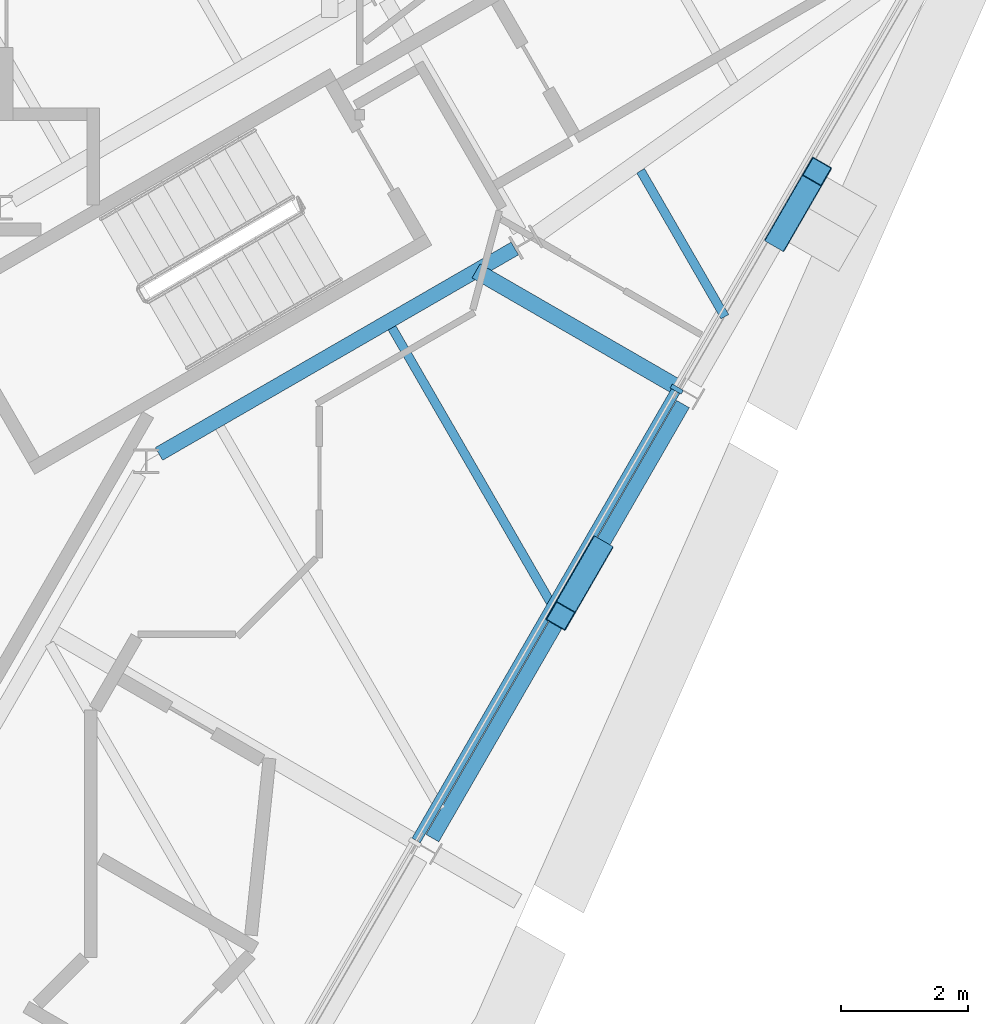
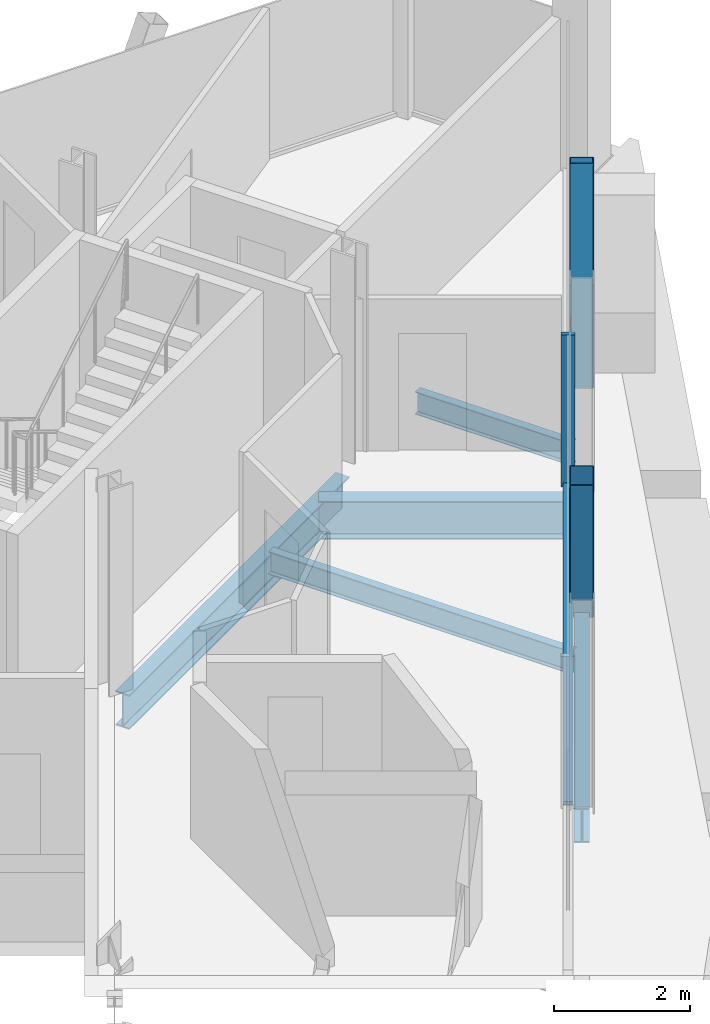
# One storey, part 5 of 14: 5 beams, 4 members, 1 element without a shape of its own.
"""IFC4 building model written with IfcOpenShell, lengths in metres."""

from ifc_helpers import new_model, si_unit, direction, frame, origin, origin_2d, place, context, subcontext, project, spatial, rectangle, hollow_rectangle, i_section, extrude, material, material_profile, profile_set, type_object, element, aggregate, save


model = new_model("IFC4")

# Units and contexts
model_context = context("Model", 3, precision=1e-05, world=origin(), true_north=direction((0.0, 1.0)))
body_context = subcontext(model_context, "Body", "Model", "MODEL_VIEW")
ifc_project = project(units=[si_unit("LENGTHUNIT", "METRE"), si_unit("AREAUNIT", "SQUARE_METRE"), si_unit("VOLUMEUNIT", "CUBIC_METRE"), si_unit("PLANEANGLEUNIT", "RADIAN"), si_unit("MASSUNIT", "GRAM", prefix="KILO")], contexts=[model_context])

# Site, building, storey
site_placement = place(None, origin())
site = spatial("IfcSite", under=ifc_project, at=site_placement, CompositionType="ELEMENT")
building_placement = place(site_placement, origin())
building = spatial("IfcBuilding", under=site, at=building_placement, Name="Verrane Prism Tower", CompositionType="ELEMENT")
storey_placement = place(building_placement, frame((0.0, 0.0, 293.60009765625)))
storey = spatial("IfcBuildingStorey", under=building, at=storey_placement, Name="L74", CompositionType="ELEMENT", Elevation=293.60009765625)

# Beam
ifc_material_1 = material(Name="Steel A992", Category="steel")
ifc_material_profile_1 = material_profile(ifc_material_1, i_section(OverallWidth=0.23046875, OverallDepth=0.6171875, WebThickness=0.01318359375, FlangeThickness=0.022216796875, FilletRadius=0.012939453125, at=origin_2d()), Name="W24x94")
ifc_profile_set_1 = profile_set([ifc_material_profile_1], Name="Steel A992")
beam_type_1 = type_object("IfcBeamType", Name="Core ring girder W24x94", PredefinedType="BEAM", material=ifc_profile_set_1)
beam_1_placement = place(storey_placement, frame((9.679443359375, 2.93505859375, -0.55859375), z_axis=(0.866080992722, 0.499903704773, 0.0), x_axis=(-0.499903704773, 0.866080992722, 0.0)))
element("IfcBeam", 1, at=beam_1_placement, inside=storey, type_object=beam_type_1, Name="Core ring girder L74", PredefinedType="BEAM", context=body_context, shape_type="SweptSolid", body=[
    extrude(i_section(OverallWidth=0.23046875, OverallDepth=0.6171875, WebThickness=0.01318359375, FlangeThickness=0.022216796875, FilletRadius=0.012939453125, at=origin_2d()), origin(), (0.0, 0.0, 1.0), 6.451904296875),
])

# Members
ifc_material_2 = material(Name="Steel A500 Grade C", Category="steel")
ifc_material_profile_2 = material_profile(ifc_material_2, hollow_rectangle(XDim=0.355712890625, YDim=0.355712890625, WallThickness=0.0126953125, InnerFilletRadius=0.00634765625, OuterFilletRadius=0.01904296875, at=origin_2d()), Name="HSS14x14x1/2")
ifc_profile_set_2 = profile_set([ifc_material_profile_2], Name="Steel A500 Grade C")
member_type_1 = type_object("IfcMemberType", Name="Facade brace HSS14x14x1/2", PredefinedType="BRACE", material=ifc_profile_set_2)
for number, where, z_axis, x_axis, name in (
    (2, (16.579833984375, 1.4189453125, -0.216796875), (-0.173933329841, -0.301465343199, 0.937478449683), (0.866171884844, -0.499746201493, 0.0), "Facade brace SE3 L74"),
    (3, (19.420166015625, 6.341064453125, -0.216796875), (0.173933329841, 0.301465343199, 0.937478449683), (-0.866171884844, 0.499746201493, 0.0), "Facade brace SE4 L74"),
):
    element("IfcMember", number, at=place(storey_placement, frame(where, z_axis=z_axis, x_axis=x_axis)), inside=storey, type_object=member_type_1, Name=name, PredefinedType="BRACE", context=body_context, shape_type="SweptSolid", body=[
        extrude(hollow_rectangle(XDim=0.355712890625, YDim=0.355712890625, WallThickness=0.0126953125, InnerFilletRadius=0.00634765625, OuterFilletRadius=0.01904296875, at=origin_2d()), origin(), (0.0, 0.0, 1.0), 3.409423828125),
    ])

# Beams
ifc_material_3 = material(Name="Steel A992", Category="steel")
ifc_material_profile_3 = material_profile(ifc_material_3, i_section(OverallWidth=0.140380859375, OverallDepth=0.40380859375, WebThickness=0.007080078125, FlangeThickness=0.01123046875, FilletRadius=0.01025390625, at=origin_2d()), Name="W16x31")
ifc_profile_set_3 = profile_set([ifc_material_profile_3], Name="Steel A992")
beam_type_2 = type_object("IfcBeamType", Name="Floor beam W16x31", PredefinedType="BEAM", material=ifc_profile_set_3)
beam_2_placement = place(storey_placement, frame((15.902099609375, 0.474609375, -0.362060546875), z_axis=(-0.500011000363, 0.866019052629, 0.0), x_axis=(-0.866019052629, -0.500011000363, 0.0)))
element("IfcBeam", 4, at=beam_2_placement, inside=storey, type_object=beam_type_2, Name="Floor beam L74", PredefinedType="BEAM", context=body_context, shape_type="SweptSolid", body=[
    extrude(i_section(OverallWidth=0.140380859375, OverallDepth=0.40380859375, WebThickness=0.007080078125, FlangeThickness=0.01123046875, FilletRadius=0.01025390625, at=origin_2d()), origin(), (0.0, 0.0, 1.0), 5.126953125),
])
beam_3_placement = place(storey_placement, frame((18.565185546875, 5.089599609375, -0.362060546875), z_axis=(-0.49994082229, 0.866059567356, 0.0), x_axis=(-0.866059567356, -0.49994082229, 0.0)))
element("IfcBeam", 5, at=beam_3_placement, inside=storey, type_object=beam_type_2, Name="Floor beam L74", PredefinedType="BEAM", context=body_context, shape_type="SweptSolid", body=[
    extrude(i_section(OverallWidth=0.140380859375, OverallDepth=0.40380859375, WebThickness=0.007080078125, FlangeThickness=0.01123046875, FilletRadius=0.01025390625, at=origin_2d()), origin(), (0.0, 0.0, 1.0), 2.645263671875),
])

# Curtain wall, member
ifc_material_4 = material(Name="Aluminium framed insulated glazing", Category="aluminium")
curtain_wall_type = type_object("IfcCurtainWallType", Name="Curtain wall CW-A 8400 module", PredefinedType="NOTDEFINED", material=ifc_material_4)
curtain_wall_placement = place(storey_placement, origin())
curtain_wall = element("IfcCurtainWall", 6, at=curtain_wall_placement, inside=storey, type_object=curtain_wall_type, Name="Glazed curtain wall south-east face L74", PredefinedType="NOTDEFINED")
ifc_material_5 = material(Name="Aluminium alloy 6063-T6", Category="aluminium")
ifc_material_profile_4 = material_profile(ifc_material_5, rectangle(XDim=0.199951171875, YDim=0.070068359375, at=origin_2d()), Name="Mullion 70x200 aluminium")
ifc_profile_set_4 = profile_set([ifc_material_profile_4], Name="Aluminium alloy 6063-T6")
member_type_2 = type_object("IfcMemberType", Name="Mullion 70x200 aluminium", PredefinedType="MULLION", material=ifc_profile_set_4)
member_1_placement = place(storey_placement, frame((17.8095703125, 3.952392578125, 0.0), z_axis=(0.0, 0.0, 1.0), x_axis=(-0.866024861728, 0.500000938868, 0.0)))
member_1 = element("IfcMember", 7, at=member_1_placement, type_object=member_type_2, Name="CW72.6 mullion 5", PredefinedType="MULLION", context=body_context, shape_type="SweptSolid", body=[
    extrude(rectangle(XDim=0.199951171875, YDim=0.070068359375, at=origin_2d()), origin(), (0.0, 0.0, 1.0), 2.722900390625),
])

# Beams
ifc_material_6 = material(Name="Steel A992", Category="steel")
ifc_material_profile_5 = material_profile(ifc_material_6, i_section(OverallWidth=0.25390625, OverallDepth=0.683349609375, WebThickness=0.012451171875, FlangeThickness=0.01904296875, FilletRadius=0.01513671875, at=origin_2d()), Name="W27x94")
ifc_profile_set_5 = profile_set([ifc_material_profile_5], Name="Steel A992")
beam_type_3 = type_object("IfcBeamType", Name="Radial girder W27x94", PredefinedType="BEAM", material=ifc_profile_set_5)
beam_4_placement = place(storey_placement, frame((17.840576171875, 3.97216796875, -0.561767578125), z_axis=(-0.866042841795, 0.499969795263, 0.0), x_axis=(-0.499969795263, -0.866042841795, 0.0)))
element("IfcBeam", 8, at=beam_4_placement, inside=storey, type_object=beam_type_3, Name="Radial girder L74", PredefinedType="BEAM", context=body_context, shape_type="SweptSolid", body=[
    extrude(i_section(OverallWidth=0.25390625, OverallDepth=0.683349609375, WebThickness=0.012451171875, FlangeThickness=0.01904296875, FilletRadius=0.01513671875, at=origin_2d()), origin(), (0.0, 0.0, 1.0), 3.674072265625),
])
ifc_material_7 = material(Name="Steel A992", Category="steel")
ifc_material_profile_6 = material_profile(ifc_material_7, i_section(OverallWidth=0.23046875, OverallDepth=0.6171875, WebThickness=0.01318359375, FlangeThickness=0.022216796875, FilletRadius=0.012939453125, at=origin_2d()), Name="W24x94")
ifc_profile_set_6 = profile_set([ifc_material_profile_6], Name="Steel A992")
beam_type_4 = type_object("IfcBeamType", Name="Spandrel beam W24x94", PredefinedType="SPANDREL", material=ifc_profile_set_6)
beam_5_placement = place(storey_placement, frame((13.973388671875, -3.098388671875, -0.46875), z_axis=(0.499786009893, 0.866148915785, 0.0), x_axis=(-0.866148915785, 0.499786009893, 0.0)))
element("IfcBeam", 9, at=beam_5_placement, inside=storey, type_object=beam_type_4, Name="Spandrel beam L74", PredefinedType="SPANDREL", context=body_context, shape_type="SweptSolid", body=[
    extrude(i_section(OverallWidth=0.23046875, OverallDepth=0.6171875, WebThickness=0.01318359375, FlangeThickness=0.022216796875, FilletRadius=0.012939453125, at=origin_2d()), origin(), (0.0, 0.0, 1.0), 7.8701171875),
])

# Member
ifc_material_8 = material(Name="Aluminium alloy 6063-T6", Category="aluminium")
ifc_material_profile_7 = material_profile(ifc_material_8, rectangle(XDim=0.14990234375, YDim=0.070068359375, at=origin_2d()), Name="Transom 70x150 aluminium")
ifc_profile_set_7 = profile_set([ifc_material_profile_7], Name="Aluminium alloy 6063-T6")
member_type_3 = type_object("IfcMemberType", Name="Transom 70x150 aluminium", PredefinedType="USERDEFINED", material=ifc_profile_set_7)
member_2_placement = place(storey_placement, frame((13.7177734375, -3.134521484375, 0.034912109375), z_axis=(0.500006018292, 0.866021929094, 0.0), x_axis=(-0.866021929094, 0.500006018292, 0.0)))
member_2 = element("IfcMember", 10, at=member_2_placement, type_object=member_type_3, Name="CW72.6 transom 4", ObjectType="TRANSOM", PredefinedType="USERDEFINED", context=body_context, shape_type="SweptSolid", body=[
    extrude(rectangle(XDim=0.14990234375, YDim=0.070068359375, at=origin_2d()), origin(), (0.0, 0.0, 1.0), 8.1484375),
])

aggregate(curtain_wall, [member_1, member_2])

save(model, "model.ifc")
